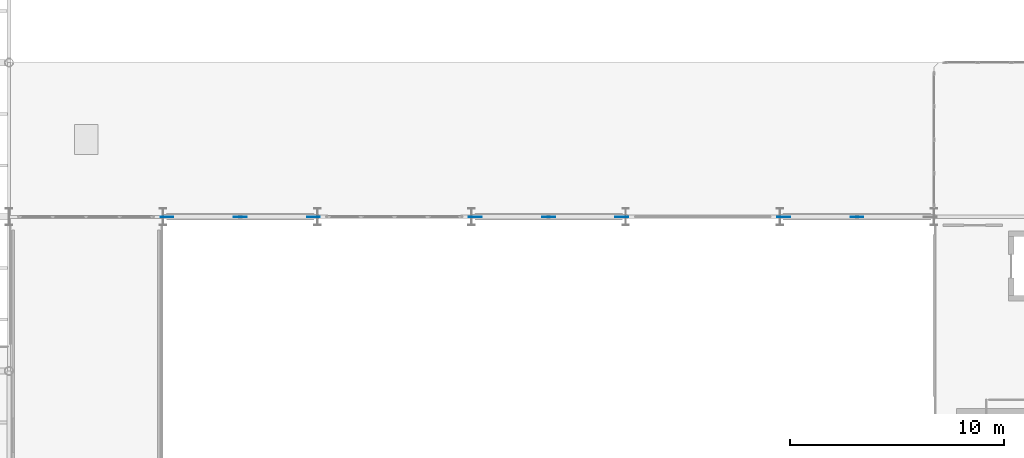
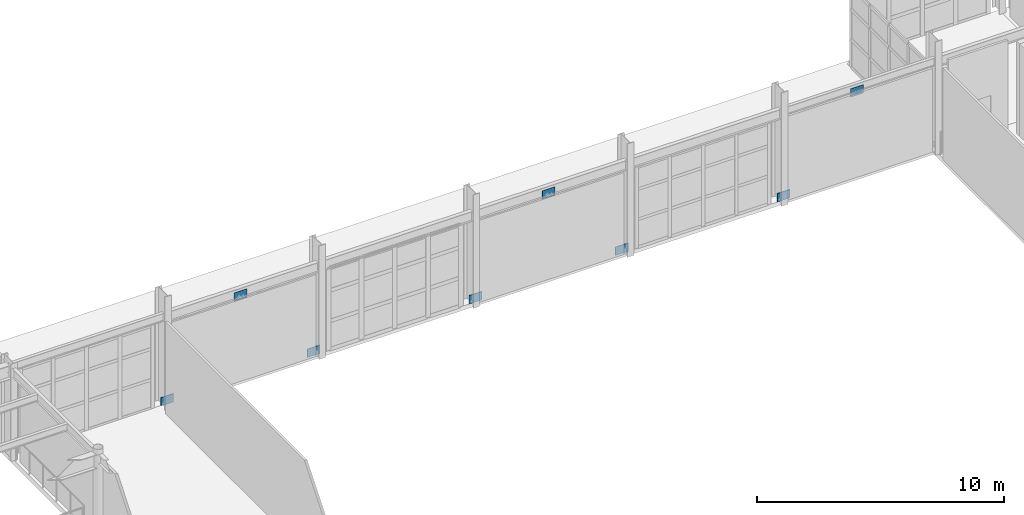
# One storey, part 100 of 126: 8 plates.
"""IFC4 building model written with IfcOpenShell, lengths in metres."""

from ifc_helpers import new_model, si_unit, direction, frame, origin, origin_2d, place, context, subcontext, project, spatial, rectangle, extrude, material, layer, layer_set, type_object, element, save


model = new_model("IFC4")

# Units and contexts
model_context = context("Model", 3, precision=1e-05, world=origin(), true_north=direction((0.0, 1.0)))
body_context = subcontext(model_context, "Body", "Model", "MODEL_VIEW")
ifc_project = project(units=[si_unit("LENGTHUNIT", "METRE"), si_unit("AREAUNIT", "SQUARE_METRE"), si_unit("VOLUMEUNIT", "CUBIC_METRE"), si_unit("PLANEANGLEUNIT", "RADIAN"), si_unit("MASSUNIT", "GRAM", prefix="KILO")], contexts=[model_context])

# Site, building, storey
site_placement = place(None, origin())
site = spatial("IfcSite", under=ifc_project, at=site_placement, CompositionType="ELEMENT")
building_placement = place(site_placement, origin())
building = spatial("IfcBuilding", under=site, at=building_placement, Name="Solvadek Multi-Sports Hall", CompositionType="ELEMENT")
storey_placement = place(building_placement, frame((0.0, 0.0, 9.60009765625)))
storey = spatial("IfcBuildingStorey", under=building, at=storey_placement, Name="L02", CompositionType="ELEMENT", Elevation=9.60009765625)

# Plates
ifc_material = material(Name="Steel E350 (350 MPa)", Category="steel")
ifc_layer = layer(ifc_material, 0.02392578125, Name="Steel E350 (350 MPa)")
ifc_layer_set = layer_set([ifc_layer], Name="Steel E350 (350 MPa)")
plate_type = type_object("IfcPlateType", Name="STR-PLT-GUS600", PredefinedType="USERDEFINED", material=ifc_layer_set)
for number, where, z_axis, x_axis, name in (
    (1, (108.179931640625, 42.0, -0.030029296875), (0.0, 0.0, 1.0), (1.0, 0.0, 0.0), "L02 Chevron Brace Gusset Plate #287"),
    (2, (115.02001953125, 42.0, -0.030029296875), (0.0, 0.0, 1.0), (1.0, 0.0, 0.0), "L02 Chevron Brace Gusset Plate #288"),
    (3, (111.60009765625, 42.0, 3.93994140625), (0.0, 0.0, 1.0), (1.0, 0.0, 0.0), "L02 Chevron Brace Gusset Plate #289"),
    (4, (93.780029296875, 42.0, -0.030029296875), (0.0, 0.0, 1.0), (1.0, 0.0, 0.0), "L02 Chevron Brace Gusset Plate #293"),
    (5, (100.6201171875, 42.0, -0.030029296875), (0.0, 0.0, 1.0), (1.0, 0.0, 0.0), "L02 Chevron Brace Gusset Plate #294"),
    (6, (97.199951171875, 42.0, 3.93994140625), (0.0, 0.0, 1.0), (1.0, 0.0, 0.0), "L02 Chevron Brace Gusset Plate #295"),
    (7, (122.580078125, 42.0, -0.030029296875), (0.0, 0.0, 1.0), (1.0, 0.0, 0.0), "L02 Chevron Brace Gusset Plate #296"),
    (8, (126.0, 42.0, 3.93994140625), (0.0, 0.0, 1.0), (1.0, 0.0, 0.0), "L02 Chevron Brace Gusset Plate #298"),
):
    element("IfcPlate", number, at=place(storey_placement, frame(where, z_axis=z_axis, x_axis=x_axis)), inside=storey, type_object=plate_type, Name=name, ObjectType="GUSSET_PLATE", PredefinedType="USERDEFINED", context=body_context, shape_type="SweptSolid", body=[
        extrude(rectangle(XDim=0.60009765625, YDim=0.02392578125, at=origin_2d()), origin(), (0.0, 0.0, 1.0), 0.419921875),
    ])

save(model, "model.ifc")
